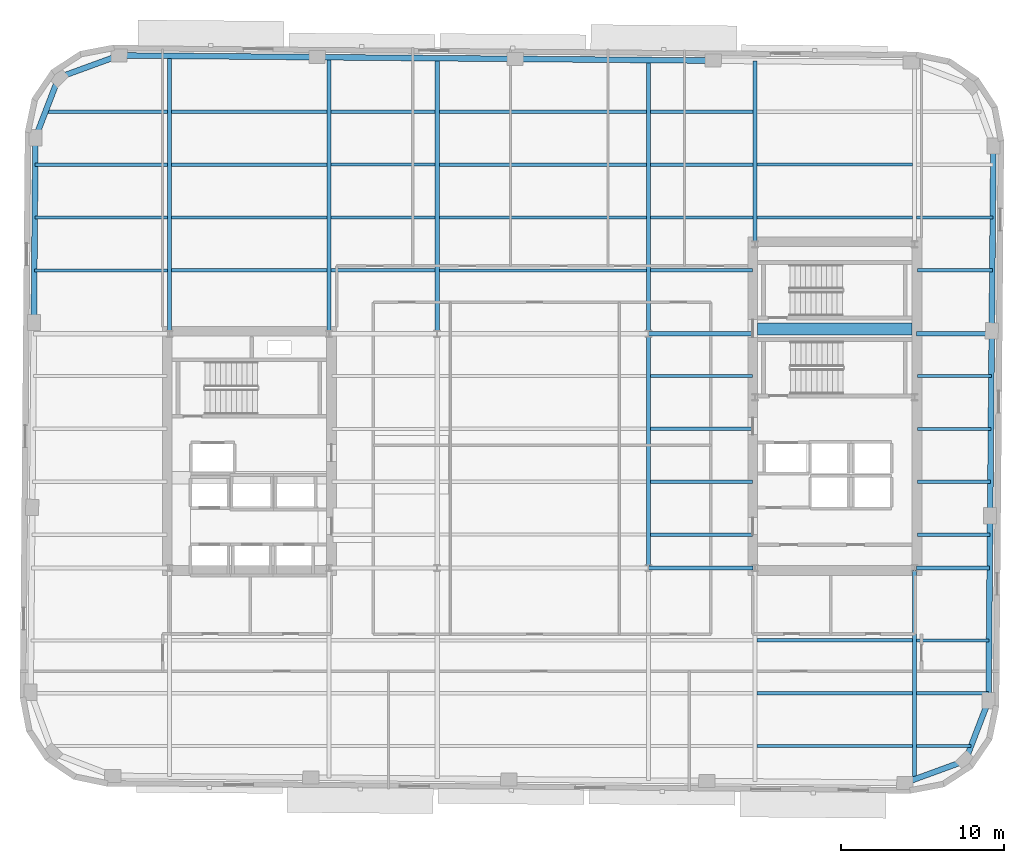
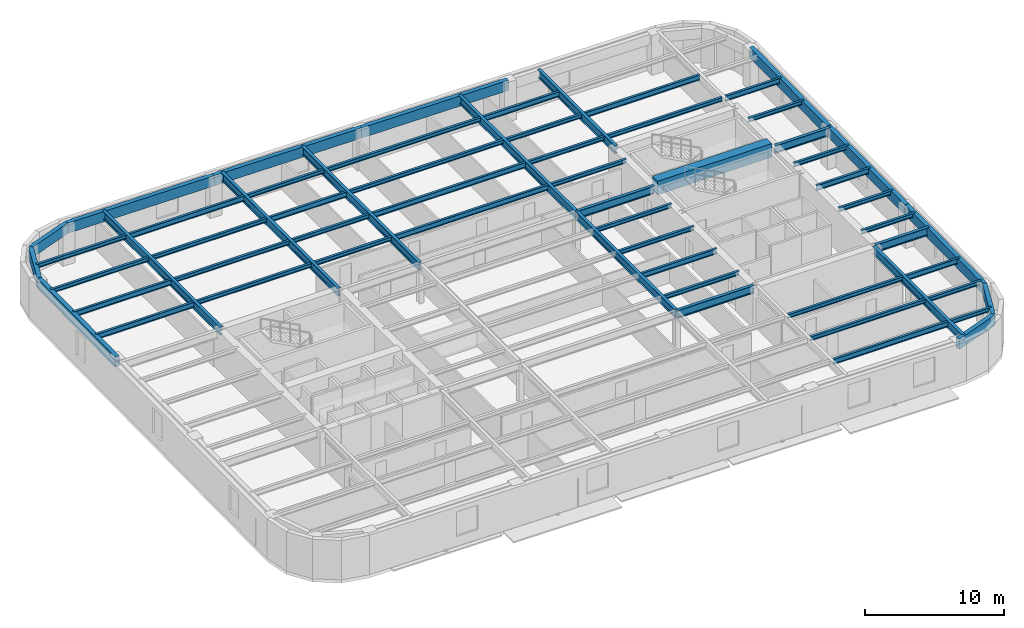
# One storey, part 2 of 11: 61 beams.
"""IFC4 building model written with IfcOpenShell, lengths in metres."""

import ifcopenshell
import ifcopenshell.guid

model = None  # the IFC model being written
_history = None  # IfcOwnerHistory: only IFC2X3 demands one
_inside = {}  # id of a spatial element -> (the spatial element, [elements in it])
_under = {}  # id of a project, library or spatial element -> (it, [spatial elements below it])
_declared = {}  # id of a project -> (the project, [libraries it declares])
_typed = {}  # id of a type object -> (the type object, [elements of that type])
_made_of = {}  # id of a material, layer set ... -> (it, [elements and type objects made of it])


def new_model(schema):
    """Start an empty IFC model of exactly this schema.

    Asked for "IFC4X3", IfcOpenShell would pick the latest addendum, in which some entities
    have other attributes; the version numbers below select the first issue.
    IFC2X3 requires an IfcOwnerHistory on every rooted entity: one is made here for all.
    """
    global model, _history
    if schema == "IFC4X3":
        model = ifcopenshell.file(schema_version=(4, 3, 0, 0))
    else:
        model = ifcopenshell.file(schema=schema)
    _inside.clear()
    _under.clear()
    _declared.clear()
    _typed.clear()
    _made_of.clear()
    _history = None
    if model.schema == "IFC2X3":
        org = make("IfcOrganization", Name="unknown")
        user = make(
            "IfcPersonAndOrganization",
            ThePerson=make("IfcPerson", FamilyName="unknown"),
            TheOrganization=org,
        )
        app = make(
            "IfcApplication",
            ApplicationDeveloper=org,
            Version="unknown",
            ApplicationFullName="unknown",
            ApplicationIdentifier="unknown",
        )
        _history = make(
            "IfcOwnerHistory",
            OwningUser=user,
            OwningApplication=app,
            ChangeAction="ADDED",
            CreationDate=0,
        )
    return model


def make(cls, **values):
    """One entity of the class cls with the attributes given. An attribute that is None is left unset."""
    return model.create_entity(
        cls, **{name: value for name, value in values.items() if value is not None}
    )


def rooted(cls, **values):
    """An entity with a GlobalId (a new one), such as an element, a storey or a relation."""
    return make(cls, GlobalId=ifcopenshell.guid.new(), OwnerHistory=_history, **values)


def si_unit(unit_type, name, prefix=None):
    """IfcSIUnit, for example si_unit("LENGTHUNIT", "METRE", prefix="MILLI")."""
    return make("IfcSIUnit", UnitType=unit_type, Prefix=prefix, Name=name)


def assignment(units):
    """IfcUnitAssignment: the units of a project."""
    return None if units is None else make("IfcUnitAssignment", Units=units)


def point(xyz):
    """IfcCartesianPoint."""
    return None if xyz is None else make("IfcCartesianPoint", Coordinates=xyz)


def direction(xyz):
    """IfcDirection."""
    return None if xyz is None else make("IfcDirection", DirectionRatios=xyz)


def frame(location, z_axis=None, x_axis=None):
    """IfcAxis2Placement3D, a coordinate frame: its origin and axes. An axis left out is left unset."""
    return make(
        "IfcAxis2Placement3D",
        Location=point(location),
        Axis=direction(z_axis),
        RefDirection=direction(x_axis),
    )


def frame_2d(location, x_axis=None):
    """IfcAxis2Placement2D, a coordinate frame in the plane: its origin and x axis."""
    return make(
        "IfcAxis2Placement2D", Location=point(location), RefDirection=direction(x_axis)
    )


def origin():
    """The frame at (0, 0, 0) with its axes left unset."""
    return frame((0.0, 0.0, 0.0))


def origin_2d():
    """The frame at (0, 0) in the plane with its x axis left unset."""
    return frame_2d((0.0, 0.0))


def place(relative_to, where):
    """IfcLocalPlacement: puts the frame where relative to a parent placement (None: the world)."""
    return make(
        "IfcLocalPlacement", PlacementRelTo=relative_to, RelativePlacement=where
    )


def context(
    kind, dimensions, precision=None, world=None, true_north=None, identifier=None
):
    """IfcGeometricRepresentationContext, for example the 3D "Model" context."""
    return make(
        "IfcGeometricRepresentationContext",
        ContextIdentifier=identifier,
        ContextType=kind,
        CoordinateSpaceDimension=dimensions,
        Precision=precision,
        WorldCoordinateSystem=world,
        TrueNorth=true_north,
    )


def subcontext(parent, identifier, kind, view, scale=None):
    """IfcGeometricRepresentationSubContext, for example "Body" below "Model"."""
    return make(
        "IfcGeometricRepresentationSubContext",
        ContextIdentifier=identifier,
        ContextType=kind,
        ParentContext=parent,
        TargetScale=scale,
        TargetView=view,
    )


def project(units=None, contexts=None):
    """IfcProject with its units and contexts."""
    return rooted(
        "IfcProject",
        Name="project",
        RepresentationContexts=contexts,
        UnitsInContext=assignment(units),
    )


def spatial(cls, under=None, at=None, **own):
    """A site, building, storey or space (cls), placed at a placement, below another one or the project."""
    s = rooted(cls, ObjectPlacement=at, **own)
    if under is not None:
        _under.setdefault(under.id(), (under, []))[1].append(s)
    return s


def profile(cls, at=None, kind="AREA", **sizes):
    """A parametric profile (cls). Its sizes go by their IFC names, for example OverallWidth=200.0."""
    return make(cls, ProfileType=kind, Position=at, **sizes)


def rectangle(**sizes):
    """IfcRectangleProfileDef."""
    return profile("IfcRectangleProfileDef", **sizes)


def hollow_rectangle(**sizes):
    """IfcRectangleHollowProfileDef."""
    return profile("IfcRectangleHollowProfileDef", **sizes)


def i_section(**sizes):
    """IfcIShapeProfileDef."""
    return profile("IfcIShapeProfileDef", **sizes)


def extrude(swept, where, along, depth):
    """IfcExtrudedAreaSolid: the profile swept, set in the frame where, extruded along a direction by depth."""
    return make(
        "IfcExtrudedAreaSolid",
        SweptArea=swept,
        Position=where,
        ExtrudedDirection=direction(along),
        Depth=depth,
    )


def shape(context_of_items, identifier, shape_type, items):
    """IfcShapeRepresentation: the items that make up one representation, for example the "Body"."""
    return make(
        "IfcShapeRepresentation",
        ContextOfItems=context_of_items,
        RepresentationIdentifier=identifier,
        RepresentationType=shape_type,
        Items=items,
    )


def material(Name=None, Category=None):
    """IfcMaterial."""
    return make("IfcMaterial", Name=Name, Category=Category)


def material_profile(
    of_material, cross_section, Name=None, Category=None, Priority=None
):
    """IfcMaterialProfile: a cross section and its material."""
    return make(
        "IfcMaterialProfile",
        Name=Name,
        Material=of_material,
        Profile=cross_section,
        Priority=Priority,
        Category=Category,
    )


def profile_set(profiles, Name=None, composite=None):
    """IfcMaterialProfileSet."""
    return make(
        "IfcMaterialProfileSet",
        Name=Name,
        MaterialProfiles=profiles,
        CompositeProfile=composite,
    )


def made_of(thing, what):
    """Note that an element or type object is made of a material, layer set ...; save() writes the relation."""
    if what is not None:
        _made_of.setdefault(what.id(), (what, []))[1].append(thing)
    return thing


def type_object(cls, material=None, **own):
    """A type object (cls), such as IfcWallType, which elements share."""
    return made_of(rooted(cls, **own), material)


def element(
    cls,
    number,
    at=None,
    inside=None,
    cuts=None,
    type_object=None,
    material=None,
    context=None,
    identifier="Body",
    shape_type=None,
    held_by="IfcProductDefinitionShape",
    body=None,
    shapes=None,
    **own,
):
    """One element of the class cls, such as IfcWall. Its Tag is "e" and its number.

    at: its placement. inside: the storey or other place that contains it. cuts: it is an
    opening in that element (IfcRelVoidsElement). A single representation is given by context,
    identifier, shape_type and body (its items); several are given by shapes. held_by: the class
    of the entity that holds the representations. save() writes the other relations.
    """
    e = rooted(cls, Tag="e%d" % number, ObjectPlacement=at, **own)
    if body is not None:
        shapes = [shape(context, identifier, shape_type, body)]
    if shapes is not None:
        e.Representation = make(held_by, Representations=shapes)
    if inside is not None:
        _inside.setdefault(inside.id(), (inside, []))[1].append(e)
    if cuts is not None:
        rooted(
            "IfcRelVoidsElement", RelatingBuildingElement=cuts, RelatedOpeningElement=e
        )
    if type_object is not None:
        _typed.setdefault(type_object.id(), (type_object, []))[1].append(e)
    return made_of(e, material)


def aggregate(whole, parts):
    """IfcRelAggregates: a whole, such as a stair, and the parts it consists of."""
    return rooted("IfcRelAggregates", RelatingObject=whole, RelatedObjects=parts)


def save(model, path):
    """Write the relations noted so far, then the file.

    IfcRelAggregates (storeys below a building ...), IfcRelContainedInSpatialStructure (elements
    in a storey), IfcRelDefinesByType, IfcRelAssociatesMaterial and IfcRelDeclares: one each for
    every whole, place, type object, material and project.
    """
    for whole, parts in _under.values():
        aggregate(whole, parts)
    for where, things in _inside.values():
        rooted(
            "IfcRelContainedInSpatialStructure",
            RelatedElements=things,
            RelatingStructure=where,
        )
    for kind, things in _typed.values():
        rooted("IfcRelDefinesByType", RelatedObjects=things, RelatingType=kind)
    for what, things in _made_of.values():
        rooted("IfcRelAssociatesMaterial", RelatedObjects=things, RelatingMaterial=what)
    for by, libraries in _declared.values():
        rooted("IfcRelDeclares", RelatingContext=by, RelatedDefinitions=libraries)
    model.write(path)


model = new_model("IFC4")

# Units and contexts
model_context = context("Model", 3, precision=1e-05, world=origin(), true_north=direction((0.0, 1.0)))
body_context = subcontext(model_context, "Body", "Model", "MODEL_VIEW")
ifc_project = project(units=[si_unit("LENGTHUNIT", "METRE"), si_unit("AREAUNIT", "SQUARE_METRE"), si_unit("VOLUMEUNIT", "CUBIC_METRE"), si_unit("PLANEANGLEUNIT", "RADIAN"), si_unit("MASSUNIT", "GRAM", prefix="KILO")], contexts=[model_context])

# Site, building, storey
site_placement = place(None, origin())
site = spatial("IfcSite", under=ifc_project, at=site_placement, CompositionType="ELEMENT")
building_placement = place(site_placement, origin())
building = spatial("IfcBuilding", under=site, at=building_placement, Name="Kolvaren Arena Tower", CompositionType="ELEMENT")
storey_placement = place(building_placement, frame((0.0, 0.0, 169.699951171875)))
storey = spatial("IfcBuildingStorey", under=building, at=storey_placement, Name="L40", CompositionType="ELEMENT", Elevation=169.699951171875)

# Beams
ifc_material_1 = material(Name="Steel CSA G40.21 350W", Category="steel")
ifc_material_profile_1 = material_profile(ifc_material_1, i_section(OverallWidth=0.193115234375, OverallDepth=0.462890625, WebThickness=0.0107421875, FlangeThickness=0.0205078125, FilletRadius=0.012939453125, at=origin_2d()), Name="W460x113")
ifc_profile_set_1 = profile_set([ifc_material_profile_1], Name="Steel CSA G40.21 350W")
beam_type_1 = type_object("IfcBeamType", Name="BEAM-F2", PredefinedType="BEAM", material=ifc_profile_set_1)
beam_1_placement = place(storey_placement, frame((50.677490234375, 8.5, 3.24853515625), z_axis=(1.0, 0.0, 0.0), x_axis=(0.0, 1.0, 0.0)))
element("IfcBeam", 1, at=beam_1_placement, inside=storey, type_object=beam_type_1, Name="Composite Floor Beam (L40)", PredefinedType="BEAM", context=body_context, shape_type="SweptSolid", body=[
    extrude(i_section(OverallWidth=0.193115234375, OverallDepth=0.462890625, WebThickness=0.0107421875, FlangeThickness=0.0205078125, FilletRadius=0.012939453125, at=origin_2d()), origin(), (0.0, 0.0, 1.0), 9.544921875),
])
beam_2_placement = place(storey_placement, frame((60.4775390625, 15.0, 3.24853515625), z_axis=(1.0, 0.0, 0.0), x_axis=(0.0, 1.0, 0.0)))
element("IfcBeam", 2, at=beam_2_placement, inside=storey, type_object=beam_type_1, Name="Composite Floor Beam (L40)", PredefinedType="BEAM", context=body_context, shape_type="SweptSolid", body=[
    extrude(i_section(OverallWidth=0.193115234375, OverallDepth=0.462890625, WebThickness=0.0107421875, FlangeThickness=0.0205078125, FilletRadius=0.012939453125, at=origin_2d()), origin(), (0.0, 0.0, 1.0), 4.454833984375),
])
beam_3_placement = place(storey_placement, frame((44.12744140625, 24.75, 3.24853515625), z_axis=(1.0, 0.0, 0.0), x_axis=(0.0, 1.0, 0.0)))
element("IfcBeam", 3, at=beam_3_placement, inside=storey, type_object=beam_type_1, Name="Composite Floor Beam (L40)", PredefinedType="BEAM", context=body_context, shape_type="SweptSolid", body=[
    extrude(i_section(OverallWidth=0.193115234375, OverallDepth=0.462890625, WebThickness=0.0107421875, FlangeThickness=0.0205078125, FilletRadius=0.012939453125, at=origin_2d()), origin(), (0.0, 0.0, 1.0), 6.25244140625),
])
beam_4_placement = place(storey_placement, frame((60.52001953125, 28.0, 3.24853515625), z_axis=(1.0, 0.0, 0.0), x_axis=(0.0, 1.0, 0.0)))
element("IfcBeam", 4, at=beam_4_placement, inside=storey, type_object=beam_type_1, Name="Composite Floor Beam (L40)", PredefinedType="BEAM", context=body_context, shape_type="SweptSolid", body=[
    extrude(i_section(OverallWidth=0.193115234375, OverallDepth=0.462890625, WebThickness=0.0107421875, FlangeThickness=0.0205078125, FilletRadius=0.012939453125, at=origin_2d()), origin(), (0.0, 0.0, 1.0), 4.52587890625),
])
beam_5_placement = place(storey_placement, frame((6.228759765625, 37.75, 3.24853515625), z_axis=(1.0, 0.0, 0.0), x_axis=(0.0, 1.0, 0.0)))
element("IfcBeam", 5, at=beam_5_placement, inside=storey, type_object=beam_type_1, Name="Composite Floor Beam (L40)", PredefinedType="BEAM", context=body_context, shape_type="SweptSolid", body=[
    extrude(i_section(OverallWidth=0.193115234375, OverallDepth=0.462890625, WebThickness=0.0107421875, FlangeThickness=0.0205078125, FilletRadius=0.012939453125, at=origin_2d()), origin(), (0.0, 0.0, 1.0), 8.19384765625),
])
beam_6_placement = place(storey_placement, frame((31.12744140625, 37.75, 3.24853515625), z_axis=(1.0, 0.0, 0.0), x_axis=(0.0, 1.0, 0.0)))
element("IfcBeam", 6, at=beam_6_placement, inside=storey, type_object=beam_type_1, Name="Composite Floor Beam (L40)", PredefinedType="BEAM", context=body_context, shape_type="SweptSolid", body=[
    extrude(i_section(OverallWidth=0.193115234375, OverallDepth=0.462890625, WebThickness=0.0107421875, FlangeThickness=0.0205078125, FilletRadius=0.012939453125, at=origin_2d()), origin(), (0.0, 0.0, 1.0), 12.7451171875),
])
beam_7_placement = place(storey_placement, frame((6.257080078125, 41.0, 3.24853515625), z_axis=(1.0, 0.0, 0.0), x_axis=(0.0, 1.0, 0.0)))
element("IfcBeam", 7, at=beam_7_placement, inside=storey, type_object=beam_type_1, Name="Composite Floor Beam (L40)", PredefinedType="BEAM", context=body_context, shape_type="SweptSolid", body=[
    extrude(i_section(OverallWidth=0.193115234375, OverallDepth=0.462890625, WebThickness=0.0107421875, FlangeThickness=0.0205078125, FilletRadius=0.012939453125, at=origin_2d()), origin(), (0.0, 0.0, 1.0), 8.16552734375),
])
beam_8_placement = place(storey_placement, frame((31.12744140625, 41.0, 3.24853515625), z_axis=(1.0, 0.0, 0.0), x_axis=(0.0, 1.0, 0.0)))
element("IfcBeam", 8, at=beam_8_placement, inside=storey, type_object=beam_type_1, Name="Composite Floor Beam (L40)", PredefinedType="BEAM", context=body_context, shape_type="SweptSolid", body=[
    extrude(i_section(OverallWidth=0.193115234375, OverallDepth=0.462890625, WebThickness=0.0107421875, FlangeThickness=0.0205078125, FilletRadius=0.012939453125, at=origin_2d()), origin(), (0.0, 0.0, 1.0), 12.7451171875),
])
beam_9_placement = place(storey_placement, frame((60.4775390625, 41.0, 3.24853515625), z_axis=(1.0, 0.0, 0.0), x_axis=(0.0, 1.0, 0.0)))
element("IfcBeam", 9, at=beam_9_placement, inside=storey, type_object=beam_type_1, Name="Composite Floor Beam (L40)", PredefinedType="BEAM", context=body_context, shape_type="SweptSolid", body=[
    extrude(i_section(OverallWidth=0.193115234375, OverallDepth=0.462890625, WebThickness=0.0107421875, FlangeThickness=0.0205078125, FilletRadius=0.012939453125, at=origin_2d()), origin(), (0.0, 0.0, 1.0), 4.681884765625),
])
beam_10_placement = place(storey_placement, frame((24.4775390625, 44.25, 3.24853515625), z_axis=(1.0, 0.0, 0.0), x_axis=(0.0, 1.0, 0.0)))
element("IfcBeam", 10, at=beam_10_placement, inside=storey, type_object=beam_type_1, Name="Composite Floor Beam (L40)", PredefinedType="BEAM", context=body_context, shape_type="SweptSolid", body=[
    extrude(i_section(OverallWidth=0.193115234375, OverallDepth=0.462890625, WebThickness=0.0107421875, FlangeThickness=0.0205078125, FilletRadius=0.012939453125, at=origin_2d()), origin(), (0.0, 0.0, 1.0), 6.39501953125),
])
for number, where, z_axis, x_axis, name in (
    (11, (50.677490234375, 44.25, 3.24853515625), (1.0, 0.0, 0.0), (0.0, 1.0, 0.0), "Composite Floor Beam (L40)"),
    (12, (14.677490234375, 47.5, 3.24853515625), (1.0, 0.0, 0.0), (0.0, 1.0, 0.0), "Composite Floor Beam (L40)"),
):
    element("IfcBeam", number, at=place(storey_placement, frame(where, z_axis=z_axis, x_axis=x_axis)), inside=storey, type_object=beam_type_1, Name=name, PredefinedType="BEAM", context=body_context, shape_type="SweptSolid", body=[
        extrude(i_section(OverallWidth=0.193115234375, OverallDepth=0.462890625, WebThickness=0.0107421875, FlangeThickness=0.0205078125, FilletRadius=0.012939453125, at=origin_2d()), origin(), (0.0, 0.0, 1.0), 9.544921875),
    ])
beam_11_placement = place(storey_placement, frame((44.12744140625, 47.5, 3.24853515625), z_axis=(1.0, 0.0, 0.0), x_axis=(0.0, 1.0, 0.0)))
element("IfcBeam", 13, at=beam_11_placement, inside=storey, type_object=beam_type_1, Name="Composite Floor Beam (L40)", PredefinedType="BEAM", context=body_context, shape_type="SweptSolid", body=[
    extrude(i_section(OverallWidth=0.193115234375, OverallDepth=0.462890625, WebThickness=0.0107421875, FlangeThickness=0.0205078125, FilletRadius=0.012939453125, at=origin_2d()), origin(), (0.0, 0.0, 1.0), 6.295166015625),
])
ifc_material_2 = material(Name="Concrete 60 MPa", Category="concrete")
ifc_material_profile_2 = material_profile(ifc_material_2, rectangle(XDim=0.75, YDim=1.199951171875, at=origin_2d()), Name="RC-750x1200")
ifc_profile_set_2 = profile_set([ifc_material_profile_2], Name="Concrete 60 MPa")
beam_type_2 = type_object("IfcBeamType", Name="CB-CORE-2", PredefinedType="BEAM", material=ifc_profile_set_2)
beam_12_placement = place(storey_placement, frame((50.699951171875, 34.14990234375, 3.150146484375), z_axis=(1.0, 0.0, 0.0), x_axis=(0.0, 1.0, 0.0)))
element("IfcBeam", 14, at=beam_12_placement, inside=storey, type_object=beam_type_2, Name="East Core Coupling Beam (L40)", PredefinedType="BEAM", context=body_context, shape_type="SweptSolid", body=[
    extrude(rectangle(XDim=0.75, YDim=1.199951171875, at=origin_2d()), origin(), (0.0, 0.0, 1.0), 9.5),
])
ifc_material_profile_3 = material_profile(ifc_material_1, i_section(OverallWidth=0.2548828125, OverallDepth=0.695068359375, WebThickness=0.01708984375, FlangeThickness=0.02978515625, FilletRadius=0.01611328125, at=origin_2d()), Name="W690x217")
ifc_profile_set_3 = profile_set([ifc_material_profile_3], Name="Steel CSA G40.21 350W")
beam_type_3 = type_object("IfcBeamType", Name="GIRD-T2", PredefinedType="BEAM", material=ifc_profile_set_3)
beam_13_placement = place(storey_placement, frame((44.0, 19.449951171875, 3.132568359375), z_axis=(1.0, 0.0, 0.0), x_axis=(0.0, 1.0, 0.0)))
element("IfcBeam", 15, at=beam_13_placement, inside=storey, type_object=beam_type_3, Name="Primary Floor Girder (L40)", PredefinedType="BEAM", context=body_context, shape_type="SweptSolid", body=[
    extrude(i_section(OverallWidth=0.2548828125, OverallDepth=0.695068359375, WebThickness=0.01708984375, FlangeThickness=0.02978515625, FilletRadius=0.01611328125, at=origin_2d()), origin(), (0.0, 0.0, 1.0), 6.419921875),
])
beam_14_placement = place(storey_placement, frame((60.47998046875, 19.449951171875, 3.132568359375), z_axis=(1.0, 0.0, 0.0), x_axis=(0.0, 1.0, 0.0)))
element("IfcBeam", 16, at=beam_14_placement, inside=storey, type_object=beam_type_3, Name="Primary Floor Girder (L40)", PredefinedType="BEAM", context=body_context, shape_type="SweptSolid", body=[
    extrude(i_section(OverallWidth=0.2548828125, OverallDepth=0.695068359375, WebThickness=0.01708984375, FlangeThickness=0.02978515625, FilletRadius=0.01611328125, at=origin_2d()), origin(), (0.0, 0.0, 1.0), 4.4912109375),
])
beam_15_placement = place(storey_placement, frame((44.0, 33.85009765625, 3.132568359375), z_axis=(1.0, 0.0, 0.0), x_axis=(0.0, 1.0, 0.0)))
element("IfcBeam", 17, at=beam_15_placement, inside=storey, type_object=beam_type_3, Name="Primary Floor Girder (L40)", PredefinedType="BEAM", context=body_context, shape_type="SweptSolid", body=[
    extrude(i_section(OverallWidth=0.2548828125, OverallDepth=0.695068359375, WebThickness=0.01708984375, FlangeThickness=0.02978515625, FilletRadius=0.01611328125, at=origin_2d()), origin(), (0.0, 0.0, 1.0), 6.419921875),
])
beam_16_placement = place(storey_placement, frame((60.47998046875, 33.85009765625, 3.132568359375), z_axis=(1.0, 0.0, 0.0), x_axis=(0.0, 1.0, 0.0)))
element("IfcBeam", 18, at=beam_16_placement, inside=storey, type_object=beam_type_3, Name="Primary Floor Girder (L40)", PredefinedType="BEAM", context=body_context, shape_type="SweptSolid", body=[
    extrude(i_section(OverallWidth=0.2548828125, OverallDepth=0.695068359375, WebThickness=0.01708984375, FlangeThickness=0.02978515625, FilletRadius=0.01611328125, at=origin_2d()), origin(), (0.0, 0.0, 1.0), 4.616943359375),
])
beam_17_placement = place(storey_placement, frame((14.550048828125, 33.97998046875, 3.132568359375), z_axis=(0.0, 1.0, 0.0), x_axis=(-1.0, 0.0, 0.0)))
element("IfcBeam", 19, at=beam_17_placement, inside=storey, type_object=beam_type_3, Name="Primary Floor Girder (L40)", PredefinedType="BEAM", context=body_context, shape_type="SweptSolid", body=[
    extrude(i_section(OverallWidth=0.2548828125, OverallDepth=0.695068359375, WebThickness=0.01708984375, FlangeThickness=0.02978515625, FilletRadius=0.01611328125, at=origin_2d()), origin(), (0.0, 0.0, 1.0), 16.95458984375),
])
beam_18_placement = place(storey_placement, frame((24.35009765625, 33.97998046875, 3.132568359375), z_axis=(0.0, 1.0, 0.0), x_axis=(-1.0, 0.0, 0.0)))
element("IfcBeam", 20, at=beam_18_placement, inside=storey, type_object=beam_type_3, Name="Primary Floor Girder (L40)", PredefinedType="BEAM", context=body_context, shape_type="SweptSolid", body=[
    extrude(i_section(OverallWidth=0.2548828125, OverallDepth=0.695068359375, WebThickness=0.01708984375, FlangeThickness=0.02978515625, FilletRadius=0.01611328125, at=origin_2d()), origin(), (0.0, 0.0, 1.0), 16.869140625),
])
beam_19_placement = place(storey_placement, frame((31.0, 33.85009765625, 3.132568359375), z_axis=(0.0, 1.0, 0.0), x_axis=(-1.0, 0.0, 0.0)))
element("IfcBeam", 21, at=beam_19_placement, inside=storey, type_object=beam_type_3, Name="Primary Floor Girder (L40)", PredefinedType="BEAM", context=body_context, shape_type="SweptSolid", body=[
    extrude(i_section(OverallWidth=0.2548828125, OverallDepth=0.695068359375, WebThickness=0.01708984375, FlangeThickness=0.02978515625, FilletRadius=0.01611328125, at=origin_2d()), origin(), (0.0, 0.0, 1.0), 16.94091796875),
])
beam_20_placement = place(storey_placement, frame((44.0, 19.449951171875, 3.132568359375), z_axis=(0.0, 1.0, 0.0), x_axis=(-1.0, 0.0, 0.0)))
element("IfcBeam", 22, at=beam_20_placement, inside=storey, type_object=beam_type_3, Name="Primary Floor Girder (L40)", PredefinedType="BEAM", context=body_context, shape_type="SweptSolid", body=[
    extrude(i_section(OverallWidth=0.2548828125, OverallDepth=0.695068359375, WebThickness=0.01708984375, FlangeThickness=0.02978515625, FilletRadius=0.01611328125, at=origin_2d()), origin(), (0.0, 0.0, 1.0), 14.400146484375),
])
beam_21_placement = place(storey_placement, frame((44.0, 33.85009765625, 3.132568359375), z_axis=(0.0, 1.0, 0.0), x_axis=(-1.0, 0.0, 0.0)))
element("IfcBeam", 23, at=beam_21_placement, inside=storey, type_object=beam_type_3, Name="Primary Floor Girder (L40)", PredefinedType="BEAM", context=body_context, shape_type="SweptSolid", body=[
    extrude(i_section(OverallWidth=0.2548828125, OverallDepth=0.695068359375, WebThickness=0.01708984375, FlangeThickness=0.02978515625, FilletRadius=0.01611328125, at=origin_2d()), origin(), (0.0, 0.0, 1.0), 16.827392578125),
])
beam_22_placement = place(storey_placement, frame((50.550048828125, 39.47998046875, 3.132568359375), z_axis=(0.0, 1.0, 0.0), x_axis=(-1.0, 0.0, 0.0)))
element("IfcBeam", 24, at=beam_22_placement, inside=storey, type_object=beam_type_3, Name="Primary Floor Girder (L40)", PredefinedType="BEAM", context=body_context, shape_type="SweptSolid", body=[
    extrude(i_section(OverallWidth=0.2548828125, OverallDepth=0.695068359375, WebThickness=0.01708984375, FlangeThickness=0.02978515625, FilletRadius=0.01611328125, at=origin_2d()), origin(), (0.0, 0.0, 1.0), 11.140380859375),
])
beam_23_placement = place(storey_placement, frame((60.35009765625, 6.455322265625, 3.132568359375), z_axis=(0.0, 1.0, 0.0), x_axis=(-1.0, 0.0, 0.0)))
element("IfcBeam", 25, at=beam_23_placement, inside=storey, type_object=beam_type_3, Name="Primary Floor Girder (L40)", PredefinedType="BEAM", context=body_context, shape_type="SweptSolid", body=[
    extrude(i_section(OverallWidth=0.2548828125, OverallDepth=0.695068359375, WebThickness=0.01708984375, FlangeThickness=0.02978515625, FilletRadius=0.01611328125, at=origin_2d()), origin(), (0.0, 0.0, 1.0), 12.86474609375),
])
ifc_material_profile_4 = material_profile(ifc_material_1, i_section(OverallWidth=0.202880859375, OverallDepth=0.346923828125, WebThickness=0.0078125, FlangeThickness=0.013427734375, FilletRadius=0.010986328125, at=origin_2d()), Name="W360x64")
ifc_profile_set_4 = profile_set([ifc_material_profile_4], Name="Steel CSA G40.21 350W")
beam_type_4 = type_object("IfcBeamType", Name="JOIST-01", PredefinedType="JOIST", material=ifc_profile_set_4)
beam_24_placement = place(storey_placement, frame((60.4775390625, 8.5, 3.306640625), z_axis=(1.0, 0.0, 0.0), x_axis=(0.0, 1.0, 0.0)))
element("IfcBeam", 26, at=beam_24_placement, inside=storey, type_object=beam_type_4, Name="Composite Floor Joist (L40)", PredefinedType="JOIST", context=body_context, shape_type="SweptSolid", body=[
    extrude(i_section(OverallWidth=0.202880859375, OverallDepth=0.346923828125, WebThickness=0.0078125, FlangeThickness=0.013427734375, FilletRadius=0.010986328125, at=origin_2d()), origin(), (0.0, 0.0, 1.0), 3.3466796875),
])
beam_25_placement = place(storey_placement, frame((50.677490234375, 11.75, 3.306640625), z_axis=(1.0, 0.0, 0.0), x_axis=(0.0, 1.0, 0.0)))
element("IfcBeam", 27, at=beam_25_placement, inside=storey, type_object=beam_type_4, Name="Composite Floor Joist (L40)", PredefinedType="JOIST", context=body_context, shape_type="SweptSolid", body=[
    extrude(i_section(OverallWidth=0.202880859375, OverallDepth=0.346923828125, WebThickness=0.0078125, FlangeThickness=0.013427734375, FilletRadius=0.010986328125, at=origin_2d()), origin(), (0.0, 0.0, 1.0), 9.544921875),
])
beam_26_placement = place(storey_placement, frame((60.4775390625, 11.75, 3.306640625), z_axis=(1.0, 0.0, 0.0), x_axis=(0.0, 1.0, 0.0)))
element("IfcBeam", 28, at=beam_26_placement, inside=storey, type_object=beam_type_4, Name="Composite Floor Joist (L40)", PredefinedType="JOIST", context=body_context, shape_type="SweptSolid", body=[
    extrude(i_section(OverallWidth=0.202880859375, OverallDepth=0.346923828125, WebThickness=0.0078125, FlangeThickness=0.013427734375, FilletRadius=0.010986328125, at=origin_2d()), origin(), (0.0, 0.0, 1.0), 4.426513671875),
])
beam_27_placement = place(storey_placement, frame((50.677490234375, 15.0, 3.306640625), z_axis=(1.0, 0.0, 0.0), x_axis=(0.0, 1.0, 0.0)))
element("IfcBeam", 29, at=beam_27_placement, inside=storey, type_object=beam_type_4, Name="Composite Floor Joist (L40)", PredefinedType="JOIST", context=body_context, shape_type="SweptSolid", body=[
    extrude(i_section(OverallWidth=0.202880859375, OverallDepth=0.346923828125, WebThickness=0.0078125, FlangeThickness=0.013427734375, FilletRadius=0.010986328125, at=origin_2d()), origin(), (0.0, 0.0, 1.0), 9.544921875),
])
beam_28_placement = place(storey_placement, frame((44.12744140625, 21.5, 3.306640625), z_axis=(1.0, 0.0, 0.0), x_axis=(0.0, 1.0, 0.0)))
element("IfcBeam", 30, at=beam_28_placement, inside=storey, type_object=beam_type_4, Name="Composite Floor Joist (L40)", PredefinedType="JOIST", context=body_context, shape_type="SweptSolid", body=[
    extrude(i_section(OverallWidth=0.202880859375, OverallDepth=0.346923828125, WebThickness=0.0078125, FlangeThickness=0.013427734375, FilletRadius=0.010986328125, at=origin_2d()), origin(), (0.0, 0.0, 1.0), 6.25244140625),
])
beam_29_placement = place(storey_placement, frame((60.52001953125, 21.5, 3.306640625), z_axis=(1.0, 0.0, 0.0), x_axis=(0.0, 1.0, 0.0)))
element("IfcBeam", 31, at=beam_29_placement, inside=storey, type_object=beam_type_4, Name="Composite Floor Joist (L40)", PredefinedType="JOIST", context=body_context, shape_type="SweptSolid", body=[
    extrude(i_section(OverallWidth=0.202880859375, OverallDepth=0.346923828125, WebThickness=0.0078125, FlangeThickness=0.013427734375, FilletRadius=0.010986328125, at=origin_2d()), origin(), (0.0, 0.0, 1.0), 4.46923828125),
])
beam_30_placement = place(storey_placement, frame((60.52001953125, 24.75, 3.306640625), z_axis=(1.0, 0.0, 0.0), x_axis=(0.0, 1.0, 0.0)))
element("IfcBeam", 32, at=beam_30_placement, inside=storey, type_object=beam_type_4, Name="Composite Floor Joist (L40)", PredefinedType="JOIST", context=body_context, shape_type="SweptSolid", body=[
    extrude(i_section(OverallWidth=0.202880859375, OverallDepth=0.346923828125, WebThickness=0.0078125, FlangeThickness=0.013427734375, FilletRadius=0.010986328125, at=origin_2d()), origin(), (0.0, 0.0, 1.0), 4.49755859375),
])
for number, where, z_axis, x_axis, name in (
    (33, (44.12744140625, 28.0, 3.306640625), (1.0, 0.0, 0.0), (0.0, 1.0, 0.0), "Composite Floor Joist (L40)"),
    (34, (44.12744140625, 31.25, 3.306640625), (1.0, 0.0, 0.0), (0.0, 1.0, 0.0), "Composite Floor Joist (L40)"),
):
    element("IfcBeam", number, at=place(storey_placement, frame(where, z_axis=z_axis, x_axis=x_axis)), inside=storey, type_object=beam_type_4, Name=name, PredefinedType="JOIST", context=body_context, shape_type="SweptSolid", body=[
        extrude(i_section(OverallWidth=0.202880859375, OverallDepth=0.346923828125, WebThickness=0.0078125, FlangeThickness=0.013427734375, FilletRadius=0.010986328125, at=origin_2d()), origin(), (0.0, 0.0, 1.0), 6.25244140625),
    ])
beam_31_placement = place(storey_placement, frame((60.52001953125, 31.25, 3.306640625), z_axis=(1.0, 0.0, 0.0), x_axis=(0.0, 1.0, 0.0)))
element("IfcBeam", 35, at=beam_31_placement, inside=storey, type_object=beam_type_4, Name="Composite Floor Joist (L40)", PredefinedType="JOIST", context=body_context, shape_type="SweptSolid", body=[
    extrude(i_section(OverallWidth=0.202880859375, OverallDepth=0.346923828125, WebThickness=0.0078125, FlangeThickness=0.013427734375, FilletRadius=0.010986328125, at=origin_2d()), origin(), (0.0, 0.0, 1.0), 4.55419921875),
])
beam_32_placement = place(storey_placement, frame((14.677490234375, 37.75, 3.306640625), z_axis=(1.0, 0.0, 0.0), x_axis=(0.0, 1.0, 0.0)))
element("IfcBeam", 36, at=beam_32_placement, inside=storey, type_object=beam_type_4, Name="Composite Floor Joist (L40)", PredefinedType="JOIST", context=body_context, shape_type="SweptSolid", body=[
    extrude(i_section(OverallWidth=0.202880859375, OverallDepth=0.346923828125, WebThickness=0.0078125, FlangeThickness=0.013427734375, FilletRadius=0.010986328125, at=origin_2d()), origin(), (0.0, 0.0, 1.0), 9.544921875),
])
beam_33_placement = place(storey_placement, frame((24.4775390625, 37.75, 3.306640625), z_axis=(1.0, 0.0, 0.0), x_axis=(0.0, 1.0, 0.0)))
element("IfcBeam", 37, at=beam_33_placement, inside=storey, type_object=beam_type_4, Name="Composite Floor Joist (L40)", PredefinedType="JOIST", context=body_context, shape_type="SweptSolid", body=[
    extrude(i_section(OverallWidth=0.202880859375, OverallDepth=0.346923828125, WebThickness=0.0078125, FlangeThickness=0.013427734375, FilletRadius=0.010986328125, at=origin_2d()), origin(), (0.0, 0.0, 1.0), 6.39501953125),
])
beam_34_placement = place(storey_placement, frame((44.12744140625, 37.75, 3.306640625), z_axis=(1.0, 0.0, 0.0), x_axis=(0.0, 1.0, 0.0)))
element("IfcBeam", 38, at=beam_34_placement, inside=storey, type_object=beam_type_4, Name="Composite Floor Joist (L40)", PredefinedType="JOIST", context=body_context, shape_type="SweptSolid", body=[
    extrude(i_section(OverallWidth=0.202880859375, OverallDepth=0.346923828125, WebThickness=0.0078125, FlangeThickness=0.013427734375, FilletRadius=0.010986328125, at=origin_2d()), origin(), (0.0, 0.0, 1.0), 6.25244140625),
])
beam_35_placement = place(storey_placement, frame((60.52001953125, 37.75, 3.306640625), z_axis=(1.0, 0.0, 0.0), x_axis=(0.0, 1.0, 0.0)))
element("IfcBeam", 39, at=beam_35_placement, inside=storey, type_object=beam_type_4, Name="Composite Floor Joist (L40)", PredefinedType="JOIST", context=body_context, shape_type="SweptSolid", body=[
    extrude(i_section(OverallWidth=0.202880859375, OverallDepth=0.346923828125, WebThickness=0.0078125, FlangeThickness=0.013427734375, FilletRadius=0.010986328125, at=origin_2d()), origin(), (0.0, 0.0, 1.0), 4.611083984375),
])
beam_36_placement = place(storey_placement, frame((14.677490234375, 41.0, 3.306640625), z_axis=(1.0, 0.0, 0.0), x_axis=(0.0, 1.0, 0.0)))
element("IfcBeam", 40, at=beam_36_placement, inside=storey, type_object=beam_type_4, Name="Composite Floor Joist (L40)", PredefinedType="JOIST", context=body_context, shape_type="SweptSolid", body=[
    extrude(i_section(OverallWidth=0.202880859375, OverallDepth=0.346923828125, WebThickness=0.0078125, FlangeThickness=0.013427734375, FilletRadius=0.010986328125, at=origin_2d()), origin(), (0.0, 0.0, 1.0), 9.544921875),
])
beam_37_placement = place(storey_placement, frame((24.4775390625, 41.0, 3.306640625), z_axis=(1.0, 0.0, 0.0), x_axis=(0.0, 1.0, 0.0)))
element("IfcBeam", 41, at=beam_37_placement, inside=storey, type_object=beam_type_4, Name="Composite Floor Joist (L40)", PredefinedType="JOIST", context=body_context, shape_type="SweptSolid", body=[
    extrude(i_section(OverallWidth=0.202880859375, OverallDepth=0.346923828125, WebThickness=0.0078125, FlangeThickness=0.013427734375, FilletRadius=0.010986328125, at=origin_2d()), origin(), (0.0, 0.0, 1.0), 6.39501953125),
])
beam_38_placement = place(storey_placement, frame((44.12744140625, 41.0, 3.306640625), z_axis=(1.0, 0.0, 0.0), x_axis=(0.0, 1.0, 0.0)))
element("IfcBeam", 42, at=beam_38_placement, inside=storey, type_object=beam_type_4, Name="Composite Floor Joist (L40)", PredefinedType="JOIST", context=body_context, shape_type="SweptSolid", body=[
    extrude(i_section(OverallWidth=0.202880859375, OverallDepth=0.346923828125, WebThickness=0.0078125, FlangeThickness=0.013427734375, FilletRadius=0.010986328125, at=origin_2d()), origin(), (0.0, 0.0, 1.0), 6.295166015625),
])
beam_39_placement = place(storey_placement, frame((50.677490234375, 41.0, 3.306640625), z_axis=(1.0, 0.0, 0.0), x_axis=(0.0, 1.0, 0.0)))
element("IfcBeam", 43, at=beam_39_placement, inside=storey, type_object=beam_type_4, Name="Composite Floor Joist (L40)", PredefinedType="JOIST", context=body_context, shape_type="SweptSolid", body=[
    extrude(i_section(OverallWidth=0.202880859375, OverallDepth=0.346923828125, WebThickness=0.0078125, FlangeThickness=0.013427734375, FilletRadius=0.010986328125, at=origin_2d()), origin(), (0.0, 0.0, 1.0), 9.544921875),
])
beam_40_placement = place(storey_placement, frame((6.285400390625, 44.25, 3.306640625), z_axis=(1.0, 0.0, 0.0), x_axis=(0.0, 1.0, 0.0)))
element("IfcBeam", 44, at=beam_40_placement, inside=storey, type_object=beam_type_4, Name="Composite Floor Joist (L40)", PredefinedType="JOIST", context=body_context, shape_type="SweptSolid", body=[
    extrude(i_section(OverallWidth=0.202880859375, OverallDepth=0.346923828125, WebThickness=0.0078125, FlangeThickness=0.013427734375, FilletRadius=0.010986328125, at=origin_2d()), origin(), (0.0, 0.0, 1.0), 8.13720703125),
])
beam_41_placement = place(storey_placement, frame((14.677490234375, 44.25, 3.306640625), z_axis=(1.0, 0.0, 0.0), x_axis=(0.0, 1.0, 0.0)))
element("IfcBeam", 45, at=beam_41_placement, inside=storey, type_object=beam_type_4, Name="Composite Floor Joist (L40)", PredefinedType="JOIST", context=body_context, shape_type="SweptSolid", body=[
    extrude(i_section(OverallWidth=0.202880859375, OverallDepth=0.346923828125, WebThickness=0.0078125, FlangeThickness=0.013427734375, FilletRadius=0.010986328125, at=origin_2d()), origin(), (0.0, 0.0, 1.0), 9.544921875),
])
beam_42_placement = place(storey_placement, frame((31.12744140625, 44.25, 3.306640625), z_axis=(1.0, 0.0, 0.0), x_axis=(0.0, 1.0, 0.0)))
element("IfcBeam", 46, at=beam_42_placement, inside=storey, type_object=beam_type_4, Name="Composite Floor Joist (L40)", PredefinedType="JOIST", context=body_context, shape_type="SweptSolid", body=[
    extrude(i_section(OverallWidth=0.202880859375, OverallDepth=0.346923828125, WebThickness=0.0078125, FlangeThickness=0.013427734375, FilletRadius=0.010986328125, at=origin_2d()), origin(), (0.0, 0.0, 1.0), 12.7451171875),
])
beam_43_placement = place(storey_placement, frame((44.12744140625, 44.25, 3.306640625), z_axis=(1.0, 0.0, 0.0), x_axis=(0.0, 1.0, 0.0)))
element("IfcBeam", 47, at=beam_43_placement, inside=storey, type_object=beam_type_4, Name="Composite Floor Joist (L40)", PredefinedType="JOIST", context=body_context, shape_type="SweptSolid", body=[
    extrude(i_section(OverallWidth=0.202880859375, OverallDepth=0.346923828125, WebThickness=0.0078125, FlangeThickness=0.013427734375, FilletRadius=0.010986328125, at=origin_2d()), origin(), (0.0, 0.0, 1.0), 6.295166015625),
])
beam_44_placement = place(storey_placement, frame((6.913818359375, 47.5, 3.306640625), z_axis=(1.0, 0.0, 0.0), x_axis=(0.0, 1.0, 0.0)))
element("IfcBeam", 48, at=beam_44_placement, inside=storey, type_object=beam_type_4, Name="Composite Floor Joist (L40)", PredefinedType="JOIST", context=body_context, shape_type="SweptSolid", body=[
    extrude(i_section(OverallWidth=0.202880859375, OverallDepth=0.346923828125, WebThickness=0.0078125, FlangeThickness=0.013427734375, FilletRadius=0.010986328125, at=origin_2d()), origin(), (0.0, 0.0, 1.0), 7.5087890625),
])
beam_45_placement = place(storey_placement, frame((24.4775390625, 47.5, 3.306640625), z_axis=(1.0, 0.0, 0.0), x_axis=(0.0, 1.0, 0.0)))
element("IfcBeam", 49, at=beam_45_placement, inside=storey, type_object=beam_type_4, Name="Composite Floor Joist (L40)", PredefinedType="JOIST", context=body_context, shape_type="SweptSolid", body=[
    extrude(i_section(OverallWidth=0.202880859375, OverallDepth=0.346923828125, WebThickness=0.0078125, FlangeThickness=0.013427734375, FilletRadius=0.010986328125, at=origin_2d()), origin(), (0.0, 0.0, 1.0), 6.39501953125),
])
beam_46_placement = place(storey_placement, frame((31.12744140625, 47.5, 3.306640625), z_axis=(1.0, 0.0, 0.0), x_axis=(0.0, 1.0, 0.0)))
element("IfcBeam", 50, at=beam_46_placement, inside=storey, type_object=beam_type_4, Name="Composite Floor Joist (L40)", PredefinedType="JOIST", context=body_context, shape_type="SweptSolid", body=[
    extrude(i_section(OverallWidth=0.202880859375, OverallDepth=0.346923828125, WebThickness=0.0078125, FlangeThickness=0.013427734375, FilletRadius=0.010986328125, at=origin_2d()), origin(), (0.0, 0.0, 1.0), 12.7451171875),
])
ifc_material_3 = material(Name="Steel CSA G40.21 350WT", Category="steel")
ifc_material_profile_5 = material_profile(ifc_material_3, hollow_rectangle(XDim=0.35009765625, YDim=0.89990234375, WallThickness=0.02001953125, at=origin_2d()), Name="HSS 900x350x20")
ifc_profile_set_5 = profile_set([ifc_material_profile_5], Name="Steel CSA G40.21 350WT")
beam_type_5 = type_object("IfcBeamType", Name="SPAND-01", PredefinedType="SPANDREL", material=ifc_profile_set_5)
for number, where, z_axis, x_axis, name in (
    (51, (59.755859375, 6.23828125, 3.030029296875), (0.939313819882, 0.343059102458, 0.0), (-0.343059102458, 0.939313819882, 0.0), "Perimeter Spandrel Beam (L40)"),
    (52, (63.4765625, 7.59716796875, 3.030029296875), (0.359383792094, 0.933189846698, 0.0), (-0.933189846698, 0.359383792094, 0.0), "Perimeter Spandrel Beam (L40)"),
):
    element("IfcBeam", number, at=place(storey_placement, frame(where, z_axis=z_axis, x_axis=x_axis)), inside=storey, type_object=beam_type_5, Name=name, PredefinedType="SPANDREL", context=body_context, shape_type="SweptSolid", body=[
        extrude(hollow_rectangle(XDim=0.35009765625, YDim=0.89990234375, WallThickness=0.02001953125, at=origin_2d()), origin(), (0.0, 0.0, 1.0), 3.961181640625),
    ])
for number, where, z_axis, x_axis, name in (
    (53, (64.900146484375, 11.293701171875, 3.030029296875), (0.008720348885, 0.999961977035, 0.0), (-0.999961977035, 0.008720348885, 0.0), "Perimeter Spandrel Beam (L40)"),
    (54, (64.999267578125, 22.659912109375, 3.030029296875), (0.008720348885, 0.999961977035, 0.0), (-0.999961977035, 0.008720348885, 0.0), "Perimeter Spandrel Beam (L40)"),
    (55, (65.098388671875, 34.026123046875, 3.030029296875), (0.008741825937, 0.99996178951, 0.0), (-0.99996178951, 0.008741825937, 0.0), "Perimeter Spandrel Beam (L40)"),
):
    element("IfcBeam", number, at=place(storey_placement, frame(where, z_axis=z_axis, x_axis=x_axis)), inside=storey, type_object=beam_type_5, Name=name, PredefinedType="SPANDREL", context=body_context, shape_type="SweptSolid", body=[
        extrude(hollow_rectangle(XDim=0.35009765625, YDim=0.89990234375, WallThickness=0.02001953125, at=origin_2d()), origin(), (0.0, 0.0, 1.0), 11.36669921875),
    ])
beam_47_placement = place(storey_placement, frame((47.9677734375, 50.642822265625, 3.030029296875), z_axis=(-0.999961779919, 0.008742922896, 0.0), x_axis=(-0.008742922896, -0.999961779919, 0.0)))
element("IfcBeam", 56, at=beam_47_placement, inside=storey, type_object=beam_type_5, Name="Perimeter Spandrel Beam (L40)", PredefinedType="SPANDREL", context=body_context, shape_type="SweptSolid", body=[
    extrude(hollow_rectangle(XDim=0.35009765625, YDim=0.89990234375, WallThickness=0.02001953125, at=origin_2d()), origin(), (0.0, 0.0, 1.0), 12.175048828125),
])
beam_48_placement = place(storey_placement, frame((35.793212890625, 50.749267578125, 3.030029296875), z_axis=(-0.999961953504, 0.008723046761, 0.0), x_axis=(-0.008723046761, -0.999961953504, 0.0)))
element("IfcBeam", 57, at=beam_48_placement, inside=storey, type_object=beam_type_5, Name="Perimeter Spandrel Beam (L40)", PredefinedType="SPANDREL", context=body_context, shape_type="SweptSolid", body=[
    extrude(hollow_rectangle(XDim=0.35009765625, YDim=0.89990234375, WallThickness=0.02001953125, at=origin_2d()), origin(), (0.0, 0.0, 1.0), 12.1748046875),
])
beam_49_placement = place(storey_placement, frame((23.618896484375, 50.85546875, 3.030029296875), z_axis=(-0.999961956555, 0.008722696942, 0.0), x_axis=(-0.008722696942, -0.999961956555, 0.0)))
element("IfcBeam", 58, at=beam_49_placement, inside=storey, type_object=beam_type_5, Name="Perimeter Spandrel Beam (L40)", PredefinedType="SPANDREL", context=body_context, shape_type="SweptSolid", body=[
    extrude(hollow_rectangle(XDim=0.35009765625, YDim=0.89990234375, WallThickness=0.02001953125, at=origin_2d()), origin(), (0.0, 0.0, 1.0), 12.17529296875),
])
for number, where, z_axis, x_axis, name in (
    (59, (11.444091796875, 50.961669921875, 3.030029296875), (-0.939313819882, -0.343059102458, 0.0), (0.343059102458, -0.939313819882, 0.0), "Perimeter Spandrel Beam (L40)"),
    (60, (7.723388671875, 49.602783203125, 3.030029296875), (-0.359383792094, -0.933189846698, 0.0), (0.933189846698, -0.359383792094, 0.0), "Perimeter Spandrel Beam (L40)"),
):
    element("IfcBeam", number, at=place(storey_placement, frame(where, z_axis=z_axis, x_axis=x_axis)), inside=storey, type_object=beam_type_5, Name=name, PredefinedType="SPANDREL", context=body_context, shape_type="SweptSolid", body=[
        extrude(hollow_rectangle(XDim=0.35009765625, YDim=0.89990234375, WallThickness=0.02001953125, at=origin_2d()), origin(), (0.0, 0.0, 1.0), 3.961181640625),
    ])
beam_50_placement = place(storey_placement, frame((6.2998046875, 45.90625, 3.030029296875), z_axis=(-0.008720348885, -0.999961977035, 0.0), x_axis=(0.999961977035, -0.008720348885, 0.0)))
element("IfcBeam", 61, at=beam_50_placement, inside=storey, type_object=beam_type_5, Name="Perimeter Spandrel Beam (L40)", PredefinedType="SPANDREL", context=body_context, shape_type="SweptSolid", body=[
    extrude(hollow_rectangle(XDim=0.35009765625, YDim=0.89990234375, WallThickness=0.02001953125, at=origin_2d()), origin(), (0.0, 0.0, 1.0), 11.36669921875),
])

save(model, "model.ifc")
